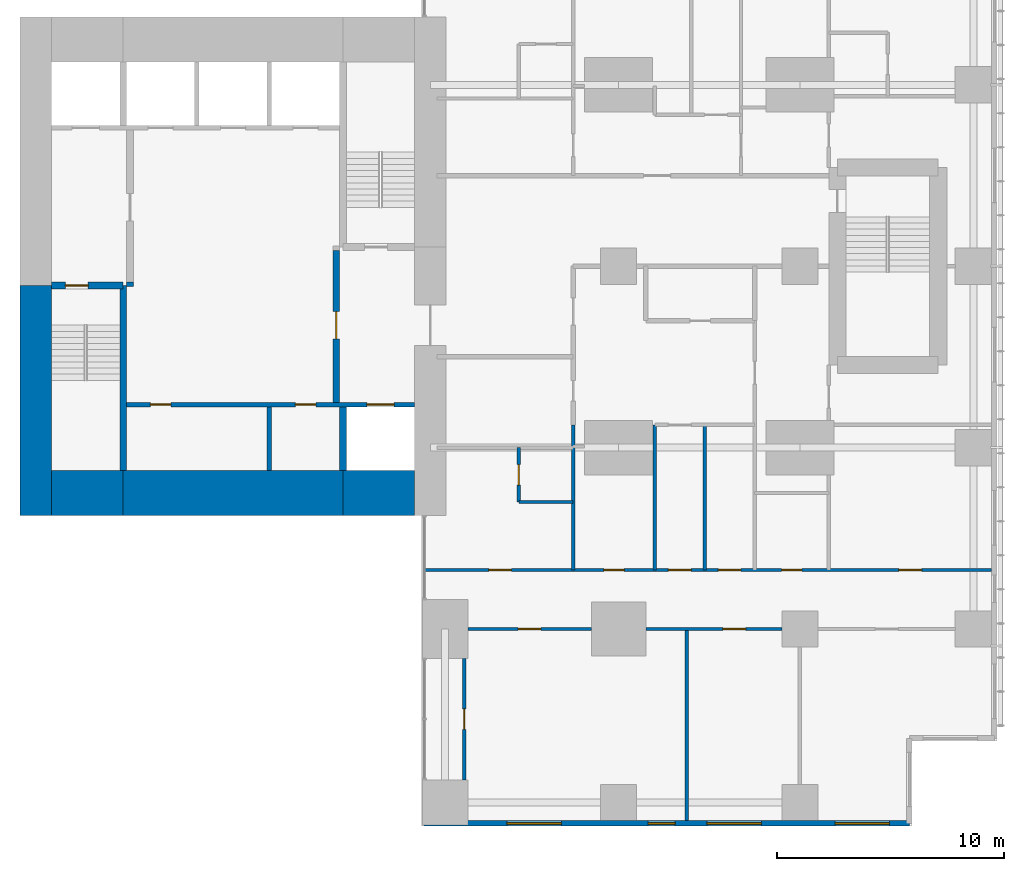
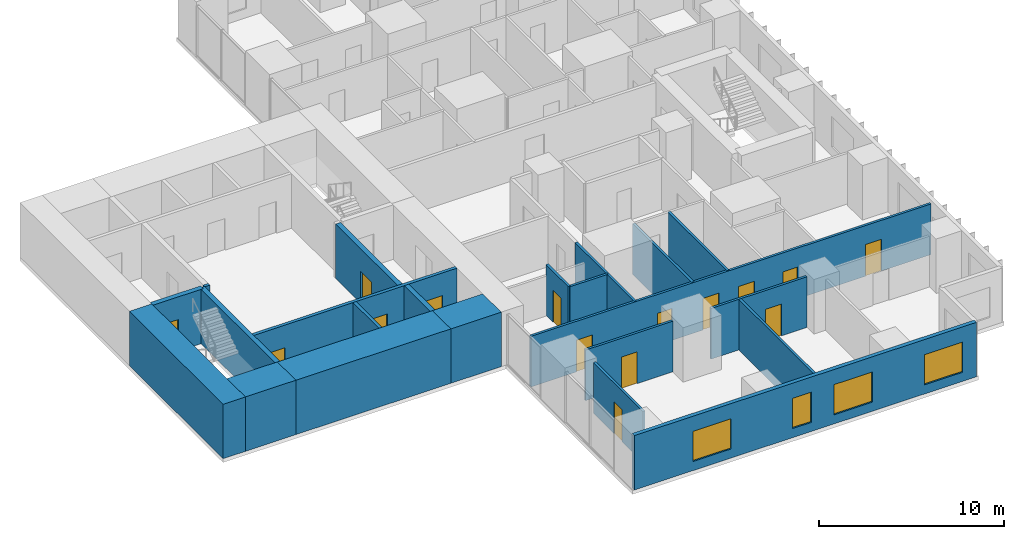
# One storey, part 7 of 12: 22 walls, 15 doors, 4 windows, 19 openings.
"""IFC4 building model written with IfcOpenShell, lengths in metres."""

from ifc_helpers import new_model, si_unit, direction, frame, frame_2d, origin, place, context, subcontext, project, spatial, rectangle, extrude, material, layer, layer_set, type_object, element, fill, save


model = new_model("IFC4")

# Units and contexts
model_context = context("Model", 3, precision=1e-05, world=origin(), true_north=direction((0.0, 1.0)))
body_context = subcontext(model_context, "Body", "Model", "MODEL_VIEW")
ifc_project = project(units=[si_unit("LENGTHUNIT", "METRE"), si_unit("AREAUNIT", "SQUARE_METRE"), si_unit("VOLUMEUNIT", "CUBIC_METRE"), si_unit("PLANEANGLEUNIT", "RADIAN"), si_unit("MASSUNIT", "GRAM", prefix="KILO")], contexts=[model_context])

# Site, building, storey
site_placement = place(None, origin())
site = spatial("IfcSite", under=ifc_project, at=site_placement, CompositionType="ELEMENT")
building_placement = place(site_placement, origin())
building = spatial("IfcBuilding", under=site, at=building_placement, Name="Cleftline Residences", CompositionType="ELEMENT")
storey_placement = place(building_placement, frame((0.0, 0.0, 270.0)))
storey = spatial("IfcBuildingStorey", under=building, at=storey_placement, Name="L71", CompositionType="ELEMENT", Elevation=270.0)

# Walls
ifc_material_1 = material(Name="Concrete B70", Category="concrete")
ifc_layer_1 = layer(ifc_material_1, 1.39990234375)
ifc_layer_set_1 = layer_set([ifc_layer_1], Name="CORE WALL 1400")
wall_type_1 = type_object("IfcWallType", Name="CORE WALL 1400", PredefinedType="SHEAR", material=ifc_layer_set_1)
wall_1_placement = place(storey_placement, frame((24.300048828125, 13.0, 0.0), z_axis=(0.0, 0.0, 1.0), x_axis=(0.0, 1.0, 0.0)))
element("IfcWall", 1, at=wall_1_placement, inside=storey, type_object=wall_type_1, Name="Core wall W0", PredefinedType="SHEAR", context=body_context, shape_type="SweptSolid", body=[
    extrude(rectangle(XDim=10.14990234375, YDim=1.39990234375, at=frame_2d((5.074951171875, 0.0))), origin(), (0.0, 0.0, 1.0), 3.60009765625),
])
ifc_material_2 = material(Name="Concrete B70", Category="concrete")
ifc_layer_2 = layer(ifc_material_2, 2.0)
ifc_layer_set_2 = layer_set([ifc_layer_2], Name="CORE WALL 2000")
wall_type_2 = type_object("IfcWallType", Name="CORE WALL 2000", PredefinedType="SHEAR", material=ifc_layer_set_2)
wall_2_placement = place(storey_placement, frame((25.0, 14.0, 0.0), z_axis=(0.0, 0.0, 1.0), x_axis=(1.0, 0.0, 0.0)))
element("IfcWall", 2, at=wall_2_placement, inside=storey, type_object=wall_type_2, Name="Core wall S1", PredefinedType="SHEAR", context=body_context, shape_type="SweptSolid", body=[
    extrude(rectangle(XDim=3.14990234375, YDim=2.0, at=frame_2d((1.574951171875, 0.0))), origin(), (0.0, 0.0, 1.0), 3.60009765625),
])
wall_3_placement = place(storey_placement, frame((28.14990234375, 14.0, 0.0), z_axis=(0.0, 0.0, 1.0), x_axis=(1.0, 0.0, 0.0)))
element("IfcWall", 3, at=wall_3_placement, inside=storey, type_object=wall_type_2, Name="Core wall S2", PredefinedType="SHEAR", context=body_context, shape_type="SweptSolid", body=[
    extrude(rectangle(XDim=9.7001953125, YDim=2.0, at=frame_2d((4.85009765625, 0.0))), origin(), (0.0, 0.0, 1.0), 3.60009765625),
])
wall_4_placement = place(storey_placement, frame((37.85009765625, 14.0, 0.0), z_axis=(0.0, 0.0, 1.0), x_axis=(1.0, 0.0, 0.0)))
element("IfcWall", 4, at=wall_4_placement, inside=storey, type_object=wall_type_2, Name="Core wall S3", PredefinedType="SHEAR", context=body_context, shape_type="SweptSolid", body=[
    extrude(rectangle(XDim=3.14990234375, YDim=2.0, at=frame_2d((1.574951171875, 0.0))), origin(), (0.0, 0.0, 1.0), 3.60009765625),
])
ifc_material_3 = material(Name="Concrete B70", Category="concrete")
ifc_layer_3 = layer(ifc_material_3, 0.300048828125)
ifc_layer_set_3 = layer_set([ifc_layer_3], Name="CORE WALL 300")
wall_type_3 = type_object("IfcWallType", Name="CORE WALL 300", PredefinedType="SHEAR", material=ifc_layer_set_3)
wall_5_placement = place(storey_placement, frame((28.14990234375, 15.0, 0.0), z_axis=(0.0, 0.0, 1.0), x_axis=(0.0, 1.0, 0.0)))
element("IfcWall", 5, at=wall_5_placement, inside=storey, type_object=wall_type_3, Name="Core wall SA-E", PredefinedType="SHEAR", context=body_context, shape_type="SweptSolid", body=[
    extrude(rectangle(XDim=8.14990234375, YDim=0.300048828125, at=frame_2d((4.074951171875, 0.0))), origin(), (0.0, 0.0, 1.0), 3.60009765625),
])

# Wall, opening, door
wall_6_placement = place(storey_placement, frame((25.0, 23.14990234375, 0.0), z_axis=(0.0, 0.0, 1.0), x_axis=(1.0, 0.0, 0.0)))
wall_6 = element("IfcWall", 6, at=wall_6_placement, inside=storey, type_object=wall_type_3, Name="Core wall SA-N", PredefinedType="SHEAR", context=body_context, shape_type="SweptSolid", body=[
    extrude(rectangle(XDim=3.14990234375, YDim=0.300048828125, at=frame_2d((1.574951171875, 0.0))), origin(), (0.0, 0.0, 1.0), 3.60009765625),
])
opening_1_placement = place(wall_6_placement, frame((0.60009765625, 0.0, 0.0)))
opening_1 = element("IfcOpeningElement", 7, at=opening_1_placement, cuts=wall_6, Name="Opening D5", PredefinedType="OPENING", context=body_context, shape_type="SweptSolid", body=[
    extrude(rectangle(XDim=1.0, YDim=2.10009765625, at=frame_2d((0.5, 1.050048828125))), frame((0.0, 0.159912109375, 0.0), z_axis=(0.0, -1.0, 0.0), x_axis=(1.0, 0.0, 0.0)), (0.0, 0.0, 1.0), 0.320068359375),
])
ifc_material_4 = material(Name="Steel", Category="steel")
door_type_1 = type_object("IfcDoorType", Name="STAIR DOOR 1000X2100", OperationType="SINGLE_SWING_LEFT", PredefinedType="DOOR", material=ifc_material_4)
door_1_placement = place(opening_1_placement, origin())
door_1 = element("IfcDoor", 8, at=door_1_placement, inside=storey, type_object=door_type_1, Name="Stair A door", OperationType="SINGLE_SWING_RIGHT", OverallHeight=2.10009765625, OverallWidth=1.0, PredefinedType="DOOR", context=body_context, shape_type="SweptSolid", body=[
    extrude(rectangle(XDim=1.0, YDim=2.10009765625, at=frame_2d((0.5, 1.050048828125))), frame((0.0, 0.02490234375, 0.0), z_axis=(0.0, -1.0, 0.0), x_axis=(1.0, 0.0, 0.0)), (0.0, 0.0, 1.0), 0.050048828125),
])
fill(opening_1, door_1)

# Wall
wall_7_placement = place(storey_placement, frame((37.85009765625, 15.0, 0.0), z_axis=(0.0, 0.0, 1.0), x_axis=(0.0, 1.0, 0.0)))
element("IfcWall", 9, at=wall_7_placement, inside=storey, type_object=wall_type_3, Name="Lift shaft wall", PredefinedType="SHEAR", context=body_context, shape_type="SweptSolid", body=[
    extrude(rectangle(XDim=2.800048828125, YDim=0.300048828125, at=frame_2d((1.39990234375, 0.0))), origin(), (0.0, 0.0, 1.0), 3.60009765625),
])

# Wall, openings, windows
ifc_material_5 = material(Name="Rendered reinforced concrete blockwork", Category="masonry")
ifc_layer_4 = layer(ifc_material_5, 0.25)
ifc_layer_set_4 = layer_set([ifc_layer_4], Name="EXTERNAL WALL 250")
wall_type_4 = type_object("IfcWallType", Name="EXTERNAL WALL 250", PredefinedType="SOLIDWALL", material=ifc_layer_set_4)
wall_8_placement = place(storey_placement, frame((41.425048828125, -0.574951171875, 0.0), z_axis=(0.0, 0.0, 1.0), x_axis=(1.0, 0.0, 0.0)))
wall_8 = element("IfcWall", 10, at=wall_8_placement, inside=storey, type_object=wall_type_4, Name="External wall", PredefinedType="SOLIDWALL", context=body_context, shape_type="SweptSolid", body=[
    extrude(rectangle(XDim=21.39990234375, YDim=0.25, at=frame_2d((10.699951171875, 0.0))), origin(), (0.0, 0.0, 1.0), 3.60009765625),
])
opening_2_placement = place(wall_8_placement, frame((3.64990234375, 0.0, 0.60009765625)))
opening_2 = element("IfcOpeningElement", 11, at=opening_2_placement, cuts=wall_8, Name="Opening W6", PredefinedType="OPENING", context=body_context, shape_type="SweptSolid", body=[
    extrude(rectangle(XDim=2.39990234375, YDim=2.0, at=frame_2d((1.199951171875, 1.0))), frame((0.0, 0.135009765625, 0.0), z_axis=(0.0, -1.0, 0.0), x_axis=(1.0, 0.0, 0.0)), (0.0, 0.0, 1.0), 0.27001953125),
])
opening_3_placement = place(wall_8_placement, frame((9.875, 0.0, 0.60009765625)))
opening_3 = element("IfcOpeningElement", 12, at=opening_3_placement, cuts=wall_8, Name="Opening W8", PredefinedType="OPENING", context=body_context, shape_type="SweptSolid", body=[
    extrude(rectangle(XDim=1.199951171875, YDim=2.0, at=frame_2d((0.60009765625, 1.0))), frame((0.0, 0.135009765625, 0.0), z_axis=(0.0, -1.0, 0.0), x_axis=(1.0, 0.0, 0.0)), (0.0, 0.0, 1.0), 0.27001953125),
])
opening_4_placement = place(wall_8_placement, frame((12.47509765625, 0.0, 0.60009765625)))
opening_4 = element("IfcOpeningElement", 13, at=opening_4_placement, cuts=wall_8, Name="Opening W6", PredefinedType="OPENING", context=body_context, shape_type="SweptSolid", body=[
    extrude(rectangle(XDim=2.39990234375, YDim=2.0, at=frame_2d((1.199951171875, 1.0))), frame((0.0, 0.135009765625, 0.0), z_axis=(0.0, -1.0, 0.0), x_axis=(1.0, 0.0, 0.0)), (0.0, 0.0, 1.0), 0.27001953125),
])
opening_5_placement = place(wall_8_placement, frame((18.125, 0.0, 0.60009765625)))
opening_5 = element("IfcOpeningElement", 14, at=opening_5_placement, cuts=wall_8, Name="Opening W6", PredefinedType="OPENING", context=body_context, shape_type="SweptSolid", body=[
    extrude(rectangle(XDim=2.39990234375, YDim=2.0, at=frame_2d((1.199951171875, 1.0))), frame((0.0, 0.135009765625, 0.0), z_axis=(0.0, -1.0, 0.0), x_axis=(1.0, 0.0, 0.0)), (0.0, 0.0, 1.0), 0.27001953125),
])
ifc_material_6 = material(Name="Aluminium frame, clear double glazing", Category="aluminium")
window_type_1 = type_object("IfcWindowType", Name="WINDOW 1200X2000", PartitioningType="DOUBLE_PANEL_VERTICAL", PredefinedType="WINDOW", material=ifc_material_6)
window_1_placement = place(opening_3_placement, origin())
window_1 = element("IfcWindow", 15, at=window_1_placement, inside=storey, type_object=window_type_1, Name="Window", OverallHeight=2.0, OverallWidth=1.199951171875, PartitioningType="SINGLE_PANEL", PredefinedType="WINDOW", context=body_context, shape_type="SweptSolid", body=[
    extrude(rectangle(XDim=1.199951171875, YDim=2.0, at=frame_2d((0.60009765625, 1.0))), frame((0.0, 0.030029296875, 0.0), z_axis=(0.0, -1.0, 0.0), x_axis=(1.0, 0.0, 0.0)), (0.0, 0.0, 1.0), 0.06005859375),
])
fill(opening_3, window_1)
ifc_material_7 = material(Name="Aluminium frame, clear double glazing", Category="aluminium")
window_type_2 = type_object("IfcWindowType", Name="WINDOW 2400X2000", PartitioningType="DOUBLE_PANEL_VERTICAL", PredefinedType="WINDOW", material=ifc_material_7)
window_2_placement = place(opening_2_placement, origin())
window_2 = element("IfcWindow", 16, at=window_2_placement, inside=storey, type_object=window_type_2, Name="Window", OverallHeight=2.0, OverallWidth=2.39990234375, PartitioningType="SINGLE_PANEL", PredefinedType="WINDOW", context=body_context, shape_type="SweptSolid", body=[
    extrude(rectangle(XDim=2.39990234375, YDim=2.0, at=frame_2d((1.199951171875, 1.0))), frame((0.0, 0.030029296875, 0.0), z_axis=(0.0, -1.0, 0.0), x_axis=(1.0, 0.0, 0.0)), (0.0, 0.0, 1.0), 0.06005859375),
])
fill(opening_2, window_2)
window_3_placement = place(opening_4_placement, origin())
window_3 = element("IfcWindow", 17, at=window_3_placement, inside=storey, type_object=window_type_2, Name="Window", OverallHeight=2.0, OverallWidth=2.39990234375, PartitioningType="SINGLE_PANEL", PredefinedType="WINDOW", context=body_context, shape_type="SweptSolid", body=[
    extrude(rectangle(XDim=2.39990234375, YDim=2.0, at=frame_2d((1.199951171875, 1.0))), frame((0.0, 0.030029296875, 0.0), z_axis=(0.0, -1.0, 0.0), x_axis=(1.0, 0.0, 0.0)), (0.0, 0.0, 1.0), 0.06005859375),
])
fill(opening_4, window_3)
window_4_placement = place(opening_5_placement, origin())
window_4 = element("IfcWindow", 18, at=window_4_placement, inside=storey, type_object=window_type_2, Name="Window", OverallHeight=2.0, OverallWidth=2.39990234375, PartitioningType="SINGLE_PANEL", PredefinedType="WINDOW", context=body_context, shape_type="SweptSolid", body=[
    extrude(rectangle(XDim=2.39990234375, YDim=2.0, at=frame_2d((1.199951171875, 1.0))), frame((0.0, 0.030029296875, 0.0), z_axis=(0.0, -1.0, 0.0), x_axis=(1.0, 0.0, 0.0)), (0.0, 0.0, 1.0), 0.06005859375),
])
fill(opening_5, window_4)

# Wall
ifc_material_8 = material(Name="Concrete blockwork, fire rated", Category="masonry")
ifc_layer_5 = layer(ifc_material_8, 0.199951171875)
ifc_layer_set_5 = layer_set([ifc_layer_5], Name="FIRE WALL 200")
wall_type_5 = type_object("IfcWallType", Name="FIRE WALL 200", PredefinedType="PARTITIONING", material=ifc_layer_set_5)
wall_9_placement = place(storey_placement, frame((28.300048828125, 23.199951171875, 0.0), z_axis=(0.0, 0.0, 1.0), x_axis=(1.0, 0.0, 0.0)))
element("IfcWall", 19, at=wall_9_placement, inside=storey, type_object=wall_type_5, Name="Fire separating wall", PredefinedType="PARTITIONING", context=body_context, shape_type="SweptSolid", body=[
    extrude(rectangle(XDim=0.300048828125, YDim=0.199951171875, at=frame_2d((0.14990234375, 0.0))), origin(), (0.0, 0.0, 1.0), 3.60009765625),
])

# Wall, opening, door
ifc_material_9 = material(Name="Gypsum board on steel studs", Category="steel")
ifc_layer_6 = layer(ifc_material_9, 0.14990234375)
ifc_layer_set_6 = layer_set([ifc_layer_6], Name="PARTITION 150")
wall_type_6 = type_object("IfcWallType", Name="PARTITION 150", PredefinedType="PARTITIONING", material=ifc_layer_set_6)
wall_10_placement = place(storey_placement, frame((43.35009765625, 8.0, 0.0), z_axis=(0.0, 0.0, 1.0), x_axis=(1.0, 0.0, 0.0)))
wall_10 = element("IfcWall", 20, at=wall_10_placement, inside=storey, type_object=wall_type_6, Name="Partition", PredefinedType="PARTITIONING", context=body_context, shape_type="SweptSolid", body=[
    extrude(rectangle(XDim=5.449951171875, YDim=0.14990234375, at=frame_2d((2.72509765625, 0.0))), origin(), (0.0, 0.0, 1.0), 3.35009765625),
])
opening_6_placement = place(wall_10_placement, frame((2.22509765625, 0.0, 0.0)))
opening_6 = element("IfcOpeningElement", 21, at=opening_6_placement, cuts=wall_10, Name="Opening D2", PredefinedType="OPENING", context=body_context, shape_type="SweptSolid", body=[
    extrude(rectangle(XDim=1.0, YDim=2.10009765625, at=frame_2d((0.5, 1.050048828125))), frame((0.0, 0.0849609375, 0.0), z_axis=(0.0, -1.0, 0.0), x_axis=(1.0, 0.0, 0.0)), (0.0, 0.0, 1.0), 0.169921875),
])
ifc_material_10 = material(Name="Timber veneer on solid core", Category="wood")
door_type_2 = type_object("IfcDoorType", Name="DOOR 1000X2100", OperationType="SINGLE_SWING_LEFT", PredefinedType="DOOR", material=ifc_material_10)
door_2_placement = place(opening_6_placement, origin())
door_2 = element("IfcDoor", 22, at=door_2_placement, inside=storey, type_object=door_type_2, Name="Door to family room", OperationType="SINGLE_SWING_LEFT", OverallHeight=2.10009765625, OverallWidth=1.0, PredefinedType="DOOR", context=body_context, shape_type="SweptSolid", body=[
    extrude(rectangle(XDim=1.0, YDim=2.10009765625, at=frame_2d((0.5, 1.050048828125))), frame((0.0, 0.02490234375, 0.0), z_axis=(0.0, -1.0, 0.0), x_axis=(1.0, 0.0, 0.0)), (0.0, 0.0, 1.0), 0.050048828125),
])
fill(opening_6, door_2)

wall_11_placement = place(storey_placement, frame((51.199951171875, 8.0, 0.0), z_axis=(0.0, 0.0, 1.0), x_axis=(1.0, 0.0, 0.0)))
wall_11 = element("IfcWall", 23, at=wall_11_placement, inside=storey, type_object=wall_type_6, Name="Partition", PredefinedType="PARTITIONING", context=body_context, shape_type="SweptSolid", body=[
    extrude(rectangle(XDim=6.0, YDim=0.14990234375, at=frame_2d((3.0, 0.0))), origin(), (0.0, 0.0, 1.0), 3.35009765625),
])
opening_7_placement = place(wall_11_placement, frame((3.39990234375, 0.0, 0.0)))
opening_7 = element("IfcOpeningElement", 24, at=opening_7_placement, cuts=wall_11, Name="Opening D2", PredefinedType="OPENING", context=body_context, shape_type="SweptSolid", body=[
    extrude(rectangle(XDim=1.0, YDim=2.10009765625, at=frame_2d((0.5, 1.050048828125))), frame((0.0, 0.0849609375, 0.0), z_axis=(0.0, -1.0, 0.0), x_axis=(1.0, 0.0, 0.0)), (0.0, 0.0, 1.0), 0.169921875),
])
door_3_placement = place(opening_7_placement, origin())
door_3 = element("IfcDoor", 25, at=door_3_placement, inside=storey, type_object=door_type_2, Name="Door to show kitchen", OperationType="SINGLE_SWING_LEFT", OverallHeight=2.10009765625, OverallWidth=1.0, PredefinedType="DOOR", context=body_context, shape_type="SweptSolid", body=[
    extrude(rectangle(XDim=1.0, YDim=2.10009765625, at=frame_2d((0.5, 1.050048828125))), frame((0.0, 0.02490234375, 0.0), z_axis=(0.0, -1.0, 0.0), x_axis=(1.0, 0.0, 0.0)), (0.0, 0.0, 1.0), 0.050048828125),
])
fill(opening_7, door_3)

# Wall, openings, doors
wall_12_placement = place(storey_placement, frame((41.43896484375, 10.60009765625, 0.0), z_axis=(0.0, 0.0, 1.0), x_axis=(1.0, 0.0, 0.0)))
wall_12 = element("IfcWall", 26, at=wall_12_placement, inside=storey, type_object=wall_type_6, Name="Partition", PredefinedType="PARTITIONING", context=body_context, shape_type="SweptSolid", body=[
    extrude(rectangle(XDim=25.010986328125, YDim=0.14990234375, at=frame_2d((12.50537109375, 0.0))), origin(), (0.0, 0.0, 1.0), 3.35009765625),
])
opening_8_placement = place(wall_12_placement, frame((10.760986328125, 0.0, 0.0)))
opening_8 = element("IfcOpeningElement", 27, at=opening_8_placement, cuts=wall_12, Name="Opening D2", PredefinedType="OPENING", context=body_context, shape_type="SweptSolid", body=[
    extrude(rectangle(XDim=1.0, YDim=2.10009765625, at=frame_2d((0.5, 1.050048828125))), frame((0.0, 0.0849609375, 0.0), z_axis=(0.0, -1.0, 0.0), x_axis=(1.0, 0.0, 0.0)), (0.0, 0.0, 1.0), 0.169921875),
])
opening_9_placement = place(wall_12_placement, frame((20.923583984375, 0.0, 0.0)))
opening_9 = element("IfcOpeningElement", 28, at=opening_9_placement, cuts=wall_12, Name="Opening D2", PredefinedType="OPENING", context=body_context, shape_type="SweptSolid", body=[
    extrude(rectangle(XDim=1.0, YDim=2.10009765625, at=frame_2d((0.5, 1.050048828125))), frame((0.0, 0.0849609375, 0.0), z_axis=(0.0, -1.0, 0.0), x_axis=(1.0, 0.0, 0.0)), (0.0, 0.0, 1.0), 0.169921875),
])
opening_10_placement = place(wall_12_placement, frame((15.74853515625, 0.0, 0.0)))
opening_10 = element("IfcOpeningElement", 29, at=opening_10_placement, cuts=wall_12, Name="Opening D1", PredefinedType="OPENING", context=body_context, shape_type="SweptSolid", body=[
    extrude(rectangle(XDim=0.89990234375, YDim=2.10009765625, at=frame_2d((0.449951171875, 1.050048828125))), frame((0.0, 0.0849609375, 0.0), z_axis=(0.0, -1.0, 0.0), x_axis=(1.0, 0.0, 0.0)), (0.0, 0.0, 1.0), 0.169921875),
])
opening_11_placement = place(wall_12_placement, frame((12.9609375, 0.0, 0.0)))
opening_11 = element("IfcOpeningElement", 30, at=opening_11_placement, cuts=wall_12, Name="Opening D2", PredefinedType="OPENING", context=body_context, shape_type="SweptSolid", body=[
    extrude(rectangle(XDim=1.0, YDim=2.10009765625, at=frame_2d((0.5, 1.050048828125))), frame((0.0, 0.0849609375, 0.0), z_axis=(0.0, -1.0, 0.0), x_axis=(1.0, 0.0, 0.0)), (0.0, 0.0, 1.0), 0.169921875),
])
opening_12_placement = place(wall_12_placement, frame((7.910888671875, 0.0, 0.0)))
opening_12 = element("IfcOpeningElement", 31, at=opening_12_placement, cuts=wall_12, Name="Opening D1", PredefinedType="OPENING", context=body_context, shape_type="SweptSolid", body=[
    extrude(rectangle(XDim=0.89990234375, YDim=2.10009765625, at=frame_2d((0.449951171875, 1.050048828125))), frame((0.0, 0.0849609375, 0.0), z_axis=(0.0, -1.0, 0.0), x_axis=(1.0, 0.0, 0.0)), (0.0, 0.0, 1.0), 0.169921875),
])
opening_13_placement = place(wall_12_placement, frame((2.8359375, 0.0, 0.0)))
opening_13 = element("IfcOpeningElement", 32, at=opening_13_placement, cuts=wall_12, Name="Opening D2", PredefinedType="OPENING", context=body_context, shape_type="SweptSolid", body=[
    extrude(rectangle(XDim=1.0, YDim=2.10009765625, at=frame_2d((0.5, 1.050048828125))), frame((0.0, 0.0849609375, 0.0), z_axis=(0.0, -1.0, 0.0), x_axis=(1.0, 0.0, 0.0)), (0.0, 0.0, 1.0), 0.169921875),
])
door_4_placement = place(opening_8_placement, origin())
door_4 = element("IfcDoor", 33, at=door_4_placement, inside=storey, type_object=door_type_2, Name="Door to residence hall", OperationType="SINGLE_SWING_RIGHT", OverallHeight=2.10009765625, OverallWidth=1.0, PredefinedType="DOOR", context=body_context, shape_type="SweptSolid", body=[
    extrude(rectangle(XDim=1.0, YDim=2.10009765625, at=frame_2d((0.5, 1.050048828125))), frame((0.0, 0.02490234375, 0.0), z_axis=(0.0, -1.0, 0.0), x_axis=(1.0, 0.0, 0.0)), (0.0, 0.0, 1.0), 0.050048828125),
])
fill(opening_8, door_4)
door_5_placement = place(opening_9_placement, origin())
door_5 = element("IfcDoor", 34, at=door_5_placement, inside=storey, type_object=door_type_2, Name="Door to sea-view great room", OperationType="SINGLE_SWING_LEFT", OverallHeight=2.10009765625, OverallWidth=1.0, PredefinedType="DOOR", context=body_context, shape_type="SweptSolid", body=[
    extrude(rectangle(XDim=1.0, YDim=2.10009765625, at=frame_2d((0.5, 1.050048828125))), frame((0.0, 0.02490234375, 0.0), z_axis=(0.0, -1.0, 0.0), x_axis=(1.0, 0.0, 0.0)), (0.0, 0.0, 1.0), 0.050048828125),
])
fill(opening_9, door_5)
door_6_placement = place(opening_11_placement, origin())
door_6 = element("IfcDoor", 35, at=door_6_placement, inside=storey, type_object=door_type_2, Name="Door to wet kitchen", OperationType="SINGLE_SWING_LEFT", OverallHeight=2.10009765625, OverallWidth=1.0, PredefinedType="DOOR", context=body_context, shape_type="SweptSolid", body=[
    extrude(rectangle(XDim=1.0, YDim=2.10009765625, at=frame_2d((0.5, 1.050048828125))), frame((0.0, 0.02490234375, 0.0), z_axis=(0.0, -1.0, 0.0), x_axis=(1.0, 0.0, 0.0)), (0.0, 0.0, 1.0), 0.050048828125),
])
fill(opening_11, door_6)
door_7_placement = place(opening_13_placement, origin())
door_7 = element("IfcDoor", 36, at=door_7_placement, inside=storey, type_object=door_type_2, Name="Door to staff bedroom", OperationType="SINGLE_SWING_RIGHT", OverallHeight=2.10009765625, OverallWidth=1.0, PredefinedType="DOOR", context=body_context, shape_type="SweptSolid", body=[
    extrude(rectangle(XDim=1.0, YDim=2.10009765625, at=frame_2d((0.5, 1.050048828125))), frame((0.0, 0.02490234375, 0.0), z_axis=(0.0, -1.0, 0.0), x_axis=(1.0, 0.0, 0.0)), (0.0, 0.0, 1.0), 0.050048828125),
])
fill(opening_13, door_7)
ifc_material_11 = material(Name="Timber veneer on solid core", Category="wood")
door_type_3 = type_object("IfcDoorType", Name="DOOR 900X2100", OperationType="SINGLE_SWING_LEFT", PredefinedType="DOOR", material=ifc_material_11)
door_8_placement = place(opening_10_placement, origin())
door_8 = element("IfcDoor", 37, at=door_8_placement, inside=storey, type_object=door_type_3, Name="Door to wine room", OperationType="SINGLE_SWING_LEFT", OverallHeight=2.10009765625, OverallWidth=0.89990234375, PredefinedType="DOOR", context=body_context, shape_type="SweptSolid", body=[
    extrude(rectangle(XDim=0.89990234375, YDim=2.10009765625, at=frame_2d((0.449951171875, 1.050048828125))), frame((0.0, 0.02490234375, 0.0), z_axis=(0.0, -1.0, 0.0), x_axis=(1.0, 0.0, 0.0)), (0.0, 0.0, 1.0), 0.050048828125),
])
fill(opening_10, door_8)
door_9_placement = place(opening_12_placement, origin())
door_9 = element("IfcDoor", 38, at=door_9_placement, inside=storey, type_object=door_type_3, Name="Door to pantry", OperationType="SINGLE_SWING_RIGHT", OverallHeight=2.10009765625, OverallWidth=0.89990234375, PredefinedType="DOOR", context=body_context, shape_type="SweptSolid", body=[
    extrude(rectangle(XDim=0.89990234375, YDim=2.10009765625, at=frame_2d((0.449951171875, 1.050048828125))), frame((0.0, 0.02490234375, 0.0), z_axis=(0.0, -1.0, 0.0), x_axis=(1.0, 0.0, 0.0)), (0.0, 0.0, 1.0), 0.050048828125),
])
fill(opening_12, door_9)

# Wall
wall_13_placement = place(storey_placement, frame((45.60009765625, 13.60009765625, 0.0), z_axis=(0.0, 0.0, 1.0), x_axis=(1.0, 0.0, 0.0)))
element("IfcWall", 39, at=wall_13_placement, inside=storey, type_object=wall_type_6, Name="Partition", PredefinedType="PARTITIONING", context=body_context, shape_type="SweptSolid", body=[
    extrude(rectangle(XDim=2.39990234375, YDim=0.14990234375, at=frame_2d((1.199951171875, 0.0))), origin(), (0.0, 0.0, 1.0), 3.35009765625),
])

# Wall, opening, door
wall_14_placement = place(storey_placement, frame((43.199951171875, 1.35009765625, 0.0), z_axis=(0.0, 0.0, 1.0), x_axis=(0.0, 1.0, 0.0)))
wall_14 = element("IfcWall", 40, at=wall_14_placement, inside=storey, type_object=wall_type_6, Name="Partition", PredefinedType="PARTITIONING", context=body_context, shape_type="SweptSolid", body=[
    extrude(rectangle(XDim=5.349853515625, YDim=0.14990234375, at=frame_2d((2.6748046875, 0.0))), origin(), (0.0, 0.0, 1.0), 3.35009765625),
])
opening_14_placement = place(wall_14_placement, frame((2.22509765625, 0.0, 0.0)))
opening_14 = element("IfcOpeningElement", 41, at=opening_14_placement, cuts=wall_14, Name="Opening D1", PredefinedType="OPENING", context=body_context, shape_type="SweptSolid", body=[
    extrude(rectangle(XDim=0.89990234375, YDim=2.10009765625, at=frame_2d((0.449951171875, 1.050048828125))), frame((0.0, 0.0849609375, 0.0), z_axis=(0.0, -1.0, 0.0), x_axis=(1.0, 0.0, 0.0)), (0.0, 0.0, 1.0), 0.169921875),
])
door_10_placement = place(opening_14_placement, origin())
door_10 = element("IfcDoor", 42, at=door_10_placement, inside=storey, type_object=door_type_3, Name="Door to store room", OperationType="SINGLE_SWING_LEFT", OverallHeight=2.10009765625, OverallWidth=0.89990234375, PredefinedType="DOOR", context=body_context, shape_type="SweptSolid", body=[
    extrude(rectangle(XDim=0.89990234375, YDim=2.10009765625, at=frame_2d((0.449951171875, 1.050048828125))), frame((0.0, 0.02490234375, 0.0), z_axis=(0.0, -1.0, 0.0), x_axis=(1.0, 0.0, 0.0)), (0.0, 0.0, 1.0), 0.050048828125),
])
fill(opening_14, door_10)

wall_15_placement = place(storey_placement, frame((45.60009765625, 13.60009765625, 0.0), z_axis=(0.0, 0.0, 1.0), x_axis=(0.0, 1.0, 0.0)))
wall_15 = element("IfcWall", 43, at=wall_15_placement, inside=storey, type_object=wall_type_6, Name="Partition", PredefinedType="PARTITIONING", context=body_context, shape_type="SweptSolid", body=[
    extrude(rectangle(XDim=2.39990234375, YDim=0.14990234375, at=frame_2d((1.199951171875, 0.0))), origin(), (0.0, 0.0, 1.0), 3.35009765625),
])
opening_15_placement = place(wall_15_placement, frame((0.75, 0.0, 0.0)))
opening_15 = element("IfcOpeningElement", 44, at=opening_15_placement, cuts=wall_15, Name="Opening D1", PredefinedType="OPENING", context=body_context, shape_type="SweptSolid", body=[
    extrude(rectangle(XDim=0.89990234375, YDim=2.10009765625, at=frame_2d((0.449951171875, 1.050048828125))), frame((0.0, 0.0849609375, 0.0), z_axis=(0.0, -1.0, 0.0), x_axis=(1.0, 0.0, 0.0)), (0.0, 0.0, 1.0), 0.169921875),
])
door_11_placement = place(opening_15_placement, origin())
door_11 = element("IfcDoor", 45, at=door_11_placement, inside=storey, type_object=door_type_3, Name="Door to staff shower room", OperationType="SINGLE_SWING_LEFT", OverallHeight=2.10009765625, OverallWidth=0.89990234375, PredefinedType="DOOR", context=body_context, shape_type="SweptSolid", body=[
    extrude(rectangle(XDim=0.89990234375, YDim=2.10009765625, at=frame_2d((0.449951171875, 1.050048828125))), frame((0.0, 0.02490234375, 0.0), z_axis=(0.0, -1.0, 0.0), x_axis=(1.0, 0.0, 0.0)), (0.0, 0.0, 1.0), 0.050048828125),
])
fill(opening_15, door_11)

# Walls
for number, where, z_axis, x_axis, name in (
    (46, (48.0, 10.60009765625, 0.0), (0.0, 0.0, 1.0), (0.0, 1.0, 0.0), "Partition"),
    (47, (51.60009765625, 10.60009765625, 0.0), (0.0, 0.0, 1.0), (0.0, 1.0, 0.0), "Partition"),
):
    element("IfcWall", number, at=place(storey_placement, frame(where, z_axis=z_axis, x_axis=x_axis)), inside=storey, type_object=wall_type_6, Name=name, PredefinedType="PARTITIONING", context=body_context, shape_type="SweptSolid", body=[
        extrude(rectangle(XDim=6.39990234375, YDim=0.14990234375, at=frame_2d((3.199951171875, 0.0))), origin(), (0.0, 0.0, 1.0), 3.35009765625),
    ])
wall_16_placement = place(storey_placement, frame((53.0, -0.449951171875, 0.0), z_axis=(0.0, 0.0, 1.0), x_axis=(0.0, 1.0, 0.0)))
element("IfcWall", 48, at=wall_16_placement, inside=storey, type_object=wall_type_6, Name="Partition", PredefinedType="PARTITIONING", context=body_context, shape_type="SweptSolid", body=[
    extrude(rectangle(XDim=8.449951171875, YDim=0.14990234375, at=frame_2d((4.22509765625, 0.0))), origin(), (0.0, 0.0, 1.0), 3.35009765625),
])
wall_17_placement = place(storey_placement, frame((53.800048828125, 10.60009765625, 0.0), z_axis=(0.0, 0.0, 1.0), x_axis=(0.0, 1.0, 0.0)))
element("IfcWall", 49, at=wall_17_placement, inside=storey, type_object=wall_type_6, Name="Partition", PredefinedType="PARTITIONING", context=body_context, shape_type="SweptSolid", body=[
    extrude(rectangle(XDim=6.39990234375, YDim=0.14990234375, at=frame_2d((3.199951171875, 0.0))), origin(), (0.0, 0.0, 1.0), 3.35009765625),
])

# Wall, openings, doors
ifc_material_12 = material(Name="Concrete blockwork, fire rated", Category="masonry")
ifc_layer_7 = layer(ifc_material_12, 0.199951171875)
ifc_layer_set_7 = layer_set([ifc_layer_7], Name="SHAFT WALL 200")
wall_type_7 = type_object("IfcWallType", Name="SHAFT WALL 200", PredefinedType="PARTITIONING", material=ifc_layer_set_7)
wall_18_placement = place(storey_placement, frame((28.300048828125, 17.89990234375, 0.0), z_axis=(0.0, 0.0, 1.0), x_axis=(1.0, 0.0, 0.0)))
wall_18 = element("IfcWall", 50, at=wall_18_placement, inside=storey, type_object=wall_type_7, Name="Core room wall", PredefinedType="PARTITIONING", context=body_context, shape_type="SweptSolid", body=[
    extrude(rectangle(XDim=12.699951171875, YDim=0.199951171875, at=frame_2d((6.35009765625, 0.0))), origin(), (0.0, 0.0, 1.0), 3.60009765625),
])
opening_16_placement = place(wall_18_placement, frame((1.050048828125, 0.0, 0.0)))
opening_16 = element("IfcOpeningElement", 51, at=opening_16_placement, cuts=wall_18, Name="Opening D1F30", PredefinedType="OPENING", context=body_context, shape_type="SweptSolid", body=[
    extrude(rectangle(XDim=0.89990234375, YDim=2.10009765625, at=frame_2d((0.449951171875, 1.050048828125))), frame((0.0, 0.10986328125, 0.0), z_axis=(0.0, -1.0, 0.0), x_axis=(1.0, 0.0, 0.0)), (0.0, 0.0, 1.0), 0.219970703125),
])
opening_17_placement = place(wall_18_placement, frame((7.449951171875, 0.0, 0.0)))
opening_17 = element("IfcOpeningElement", 52, at=opening_17_placement, cuts=wall_18, Name="Opening D1F30", PredefinedType="OPENING", context=body_context, shape_type="SweptSolid", body=[
    extrude(rectangle(XDim=0.89990234375, YDim=2.10009765625, at=frame_2d((0.449951171875, 1.050048828125))), frame((0.0, 0.10986328125, 0.0), z_axis=(0.0, -1.0, 0.0), x_axis=(1.0, 0.0, 0.0)), (0.0, 0.0, 1.0), 0.219970703125),
])
opening_18_placement = place(wall_18_placement, frame((10.60009765625, 0.0, 0.0)))
opening_18 = element("IfcOpeningElement", 53, at=opening_18_placement, cuts=wall_18, Name="Opening LD2", PredefinedType="OPENING", context=body_context, shape_type="SweptSolid", body=[
    extrude(rectangle(XDim=1.199951171875, YDim=2.10009765625, at=frame_2d((0.60009765625, 1.050048828125))), frame((0.0, 0.10986328125, 0.0), z_axis=(0.0, -1.0, 0.0), x_axis=(1.0, 0.0, 0.0)), (0.0, 0.0, 1.0), 0.219970703125),
])
ifc_material_13 = material(Name="Timber veneer on solid core", Category="wood")
door_type_4 = type_object("IfcDoorType", Name="DOOR 900X2100 EI 30", OperationType="SINGLE_SWING_LEFT", PredefinedType="DOOR", material=ifc_material_13)
door_12_placement = place(opening_16_placement, origin())
door_12 = element("IfcDoor", 54, at=door_12_placement, inside=storey, type_object=door_type_4, Name="Door to linen store", OperationType="SINGLE_SWING_RIGHT", OverallHeight=2.10009765625, OverallWidth=0.89990234375, PredefinedType="DOOR", context=body_context, shape_type="SweptSolid", body=[
    extrude(rectangle(XDim=0.89990234375, YDim=2.10009765625, at=frame_2d((0.449951171875, 1.050048828125))), frame((0.0, 0.02490234375, 0.0), z_axis=(0.0, -1.0, 0.0), x_axis=(1.0, 0.0, 0.0)), (0.0, 0.0, 1.0), 0.050048828125),
])
fill(opening_16, door_12)
door_13_placement = place(opening_17_placement, origin())
door_13 = element("IfcDoor", 55, at=door_13_placement, inside=storey, type_object=door_type_4, Name="Door to guest pantry", OperationType="SINGLE_SWING_LEFT", OverallHeight=2.10009765625, OverallWidth=0.89990234375, PredefinedType="DOOR", context=body_context, shape_type="SweptSolid", body=[
    extrude(rectangle(XDim=0.89990234375, YDim=2.10009765625, at=frame_2d((0.449951171875, 1.050048828125))), frame((0.0, 0.02490234375, 0.0), z_axis=(0.0, -1.0, 0.0), x_axis=(1.0, 0.0, 0.0)), (0.0, 0.0, 1.0), 0.050048828125),
])
fill(opening_17, door_13)
ifc_material_14 = material(Name="Steel", Category="steel")
door_type_5 = type_object("IfcDoorType", Name="FIREFIGHTING LIFT LANDING DOOR 1200X2100", OperationType="SLIDING_TO_LEFT", PredefinedType="DOOR", material=ifc_material_14)
door_14_placement = place(opening_18_placement, origin())
door_14 = element("IfcDoor", 56, at=door_14_placement, inside=storey, type_object=door_type_5, Name="Lift FL2 landing door", OperationType="SLIDING_TO_LEFT", OverallHeight=2.10009765625, OverallWidth=1.199951171875, PredefinedType="DOOR", context=body_context, shape_type="SweptSolid", body=[
    extrude(rectangle(XDim=1.199951171875, YDim=2.10009765625, at=frame_2d((0.60009765625, 1.050048828125))), frame((0.0, 0.02490234375, 0.0), z_axis=(0.0, -1.0, 0.0), x_axis=(1.0, 0.0, 0.0)), (0.0, 0.0, 1.0), 0.050048828125),
])
fill(opening_18, door_14)

# Wall
wall_19_placement = place(storey_placement, frame((34.60009765625, 15.0, 0.0), z_axis=(0.0, 0.0, 1.0), x_axis=(0.0, 1.0, 0.0)))
element("IfcWall", 57, at=wall_19_placement, inside=storey, type_object=wall_type_7, Name="Core room wall", PredefinedType="PARTITIONING", context=body_context, shape_type="SweptSolid", body=[
    extrude(rectangle(XDim=2.800048828125, YDim=0.199951171875, at=frame_2d((1.39990234375, 0.0))), origin(), (0.0, 0.0, 1.0), 3.60009765625),
])

# Wall, opening, door
ifc_material_15 = material(Name="Concrete blockwork, fire rated", Category="masonry")
ifc_layer_8 = layer(ifc_material_15, 0.300048828125)
ifc_layer_set_8 = layer_set([ifc_layer_8], Name="STAIR LOBBY WALL 300")
wall_type_8 = type_object("IfcWallType", Name="STAIR LOBBY WALL 300", PredefinedType="PARTITIONING", material=ifc_layer_set_8)
wall_20_placement = place(storey_placement, frame((37.550048828125, 18.0, 0.0), z_axis=(0.0, 0.0, 1.0), x_axis=(0.0, 1.0, 0.0)))
wall_20 = element("IfcWall", 58, at=wall_20_placement, inside=storey, type_object=wall_type_8, Name="Stair and lobby wall FB-W", PredefinedType="PARTITIONING", context=body_context, shape_type="SweptSolid", body=[
    extrude(rectangle(XDim=6.699951171875, YDim=0.300048828125, at=frame_2d((3.35009765625, 0.0))), origin(), (0.0, 0.0, 1.0), 3.60009765625),
])
opening_19_placement = place(wall_20_placement, frame((2.800048828125, 0.0, 0.0)))
opening_19 = element("IfcOpeningElement", 59, at=opening_19_placement, cuts=wall_20, Name="Opening D6", PredefinedType="OPENING", context=body_context, shape_type="SweptSolid", body=[
    extrude(rectangle(XDim=1.199951171875, YDim=2.10009765625, at=frame_2d((0.60009765625, 1.050048828125))), frame((0.0, 0.159912109375, 0.0), z_axis=(0.0, -1.0, 0.0), x_axis=(1.0, 0.0, 0.0)), (0.0, 0.0, 1.0), 0.320068359375),
])
ifc_material_16 = material(Name="Steel", Category="steel")
door_type_6 = type_object("IfcDoorType", Name="LOBBY DOOR 1200X2100", OperationType="SINGLE_SWING_RIGHT", PredefinedType="DOOR", material=ifc_material_16)
door_15_placement = place(opening_19_placement, origin())
door_15 = element("IfcDoor", 60, at=door_15_placement, inside=storey, type_object=door_type_6, Name="Firefighting lobby B door", OperationType="SINGLE_SWING_LEFT", OverallHeight=2.10009765625, OverallWidth=1.199951171875, PredefinedType="DOOR", context=body_context, shape_type="SweptSolid", body=[
    extrude(rectangle(XDim=1.199951171875, YDim=2.10009765625, at=frame_2d((0.60009765625, 1.050048828125))), frame((0.0, 0.02490234375, 0.0), z_axis=(0.0, -1.0, 0.0), x_axis=(1.0, 0.0, 0.0)), (0.0, 0.0, 1.0), 0.050048828125),
])
fill(opening_19, door_15)

save(model, "model.ifc")
